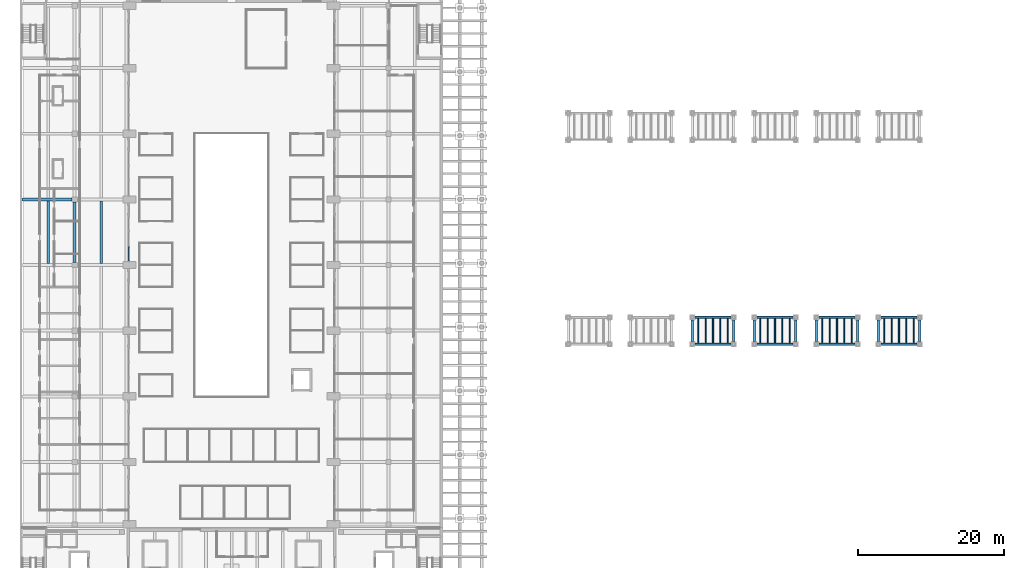
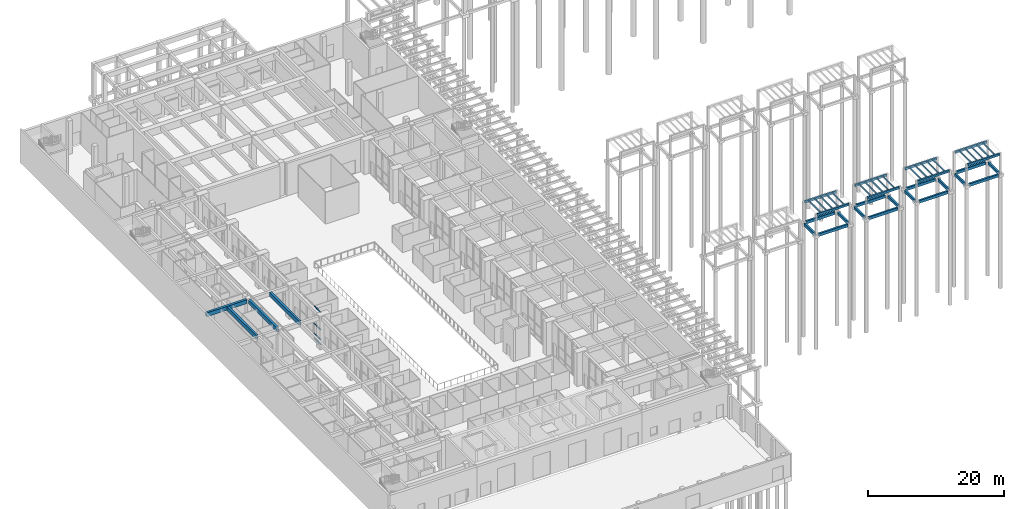
# One storey, part 16 of 51: 48 beams, 4 members, 1 element without a shape of its own.
"""IFC4 building model written with IfcOpenShell, lengths in metres."""

import ifcopenshell
import ifcopenshell.guid

model = None  # the IFC model being written
_history = None  # IfcOwnerHistory: only IFC2X3 demands one
_inside = {}  # id of a spatial element -> (the spatial element, [elements in it])
_under = {}  # id of a project, library or spatial element -> (it, [spatial elements below it])
_declared = {}  # id of a project -> (the project, [libraries it declares])
_typed = {}  # id of a type object -> (the type object, [elements of that type])
_made_of = {}  # id of a material, layer set ... -> (it, [elements and type objects made of it])


def new_model(schema):
    """Start an empty IFC model of exactly this schema.

    Asked for "IFC4X3", IfcOpenShell would pick the latest addendum, in which some entities
    have other attributes; the version numbers below select the first issue.
    IFC2X3 requires an IfcOwnerHistory on every rooted entity: one is made here for all.
    """
    global model, _history
    if schema == "IFC4X3":
        model = ifcopenshell.file(schema_version=(4, 3, 0, 0))
    else:
        model = ifcopenshell.file(schema=schema)
    _inside.clear()
    _under.clear()
    _declared.clear()
    _typed.clear()
    _made_of.clear()
    _history = None
    if model.schema == "IFC2X3":
        org = make("IfcOrganization", Name="unknown")
        user = make(
            "IfcPersonAndOrganization",
            ThePerson=make("IfcPerson", FamilyName="unknown"),
            TheOrganization=org,
        )
        app = make(
            "IfcApplication",
            ApplicationDeveloper=org,
            Version="unknown",
            ApplicationFullName="unknown",
            ApplicationIdentifier="unknown",
        )
        _history = make(
            "IfcOwnerHistory",
            OwningUser=user,
            OwningApplication=app,
            ChangeAction="ADDED",
            CreationDate=0,
        )
    return model


def make(cls, **values):
    """One entity of the class cls with the attributes given. An attribute that is None is left unset."""
    return model.create_entity(
        cls, **{name: value for name, value in values.items() if value is not None}
    )


def rooted(cls, **values):
    """An entity with a GlobalId (a new one), such as an element, a storey or a relation."""
    return make(cls, GlobalId=ifcopenshell.guid.new(), OwnerHistory=_history, **values)


def si_unit(unit_type, name, prefix=None):
    """IfcSIUnit, for example si_unit("LENGTHUNIT", "METRE", prefix="MILLI")."""
    return make("IfcSIUnit", UnitType=unit_type, Prefix=prefix, Name=name)


def assignment(units):
    """IfcUnitAssignment: the units of a project."""
    return None if units is None else make("IfcUnitAssignment", Units=units)


def point(xyz):
    """IfcCartesianPoint."""
    return None if xyz is None else make("IfcCartesianPoint", Coordinates=xyz)


def direction(xyz):
    """IfcDirection."""
    return None if xyz is None else make("IfcDirection", DirectionRatios=xyz)


def frame(location, z_axis=None, x_axis=None):
    """IfcAxis2Placement3D, a coordinate frame: its origin and axes. An axis left out is left unset."""
    return make(
        "IfcAxis2Placement3D",
        Location=point(location),
        Axis=direction(z_axis),
        RefDirection=direction(x_axis),
    )


def frame_2d(location, x_axis=None):
    """IfcAxis2Placement2D, a coordinate frame in the plane: its origin and x axis."""
    return make(
        "IfcAxis2Placement2D", Location=point(location), RefDirection=direction(x_axis)
    )


def origin():
    """The frame at (0, 0, 0) with its axes left unset."""
    return frame((0.0, 0.0, 0.0))


def origin_2d():
    """The frame at (0, 0) in the plane with its x axis left unset."""
    return frame_2d((0.0, 0.0))


def place(relative_to, where):
    """IfcLocalPlacement: puts the frame where relative to a parent placement (None: the world)."""
    return make(
        "IfcLocalPlacement", PlacementRelTo=relative_to, RelativePlacement=where
    )


def context(
    kind, dimensions, precision=None, world=None, true_north=None, identifier=None
):
    """IfcGeometricRepresentationContext, for example the 3D "Model" context."""
    return make(
        "IfcGeometricRepresentationContext",
        ContextIdentifier=identifier,
        ContextType=kind,
        CoordinateSpaceDimension=dimensions,
        Precision=precision,
        WorldCoordinateSystem=world,
        TrueNorth=true_north,
    )


def subcontext(parent, identifier, kind, view, scale=None):
    """IfcGeometricRepresentationSubContext, for example "Body" below "Model"."""
    return make(
        "IfcGeometricRepresentationSubContext",
        ContextIdentifier=identifier,
        ContextType=kind,
        ParentContext=parent,
        TargetScale=scale,
        TargetView=view,
    )


def project(units=None, contexts=None):
    """IfcProject with its units and contexts."""
    return rooted(
        "IfcProject",
        Name="project",
        RepresentationContexts=contexts,
        UnitsInContext=assignment(units),
    )


def spatial(cls, under=None, at=None, **own):
    """A site, building, storey or space (cls), placed at a placement, below another one or the project."""
    s = rooted(cls, ObjectPlacement=at, **own)
    if under is not None:
        _under.setdefault(under.id(), (under, []))[1].append(s)
    return s


def profile(cls, at=None, kind="AREA", **sizes):
    """A parametric profile (cls). Its sizes go by their IFC names, for example OverallWidth=200.0."""
    return make(cls, ProfileType=kind, Position=at, **sizes)


def rectangle(**sizes):
    """IfcRectangleProfileDef."""
    return profile("IfcRectangleProfileDef", **sizes)


def extrude(swept, where, along, depth):
    """IfcExtrudedAreaSolid: the profile swept, set in the frame where, extruded along a direction by depth."""
    return make(
        "IfcExtrudedAreaSolid",
        SweptArea=swept,
        Position=where,
        ExtrudedDirection=direction(along),
        Depth=depth,
    )


def shape(context_of_items, identifier, shape_type, items):
    """IfcShapeRepresentation: the items that make up one representation, for example the "Body"."""
    return make(
        "IfcShapeRepresentation",
        ContextOfItems=context_of_items,
        RepresentationIdentifier=identifier,
        RepresentationType=shape_type,
        Items=items,
    )


def material(Name=None, Category=None):
    """IfcMaterial."""
    return make("IfcMaterial", Name=Name, Category=Category)


def material_profile(
    of_material, cross_section, Name=None, Category=None, Priority=None
):
    """IfcMaterialProfile: a cross section and its material."""
    return make(
        "IfcMaterialProfile",
        Name=Name,
        Material=of_material,
        Profile=cross_section,
        Priority=Priority,
        Category=Category,
    )


def profile_set(profiles, Name=None, composite=None):
    """IfcMaterialProfileSet."""
    return make(
        "IfcMaterialProfileSet",
        Name=Name,
        MaterialProfiles=profiles,
        CompositeProfile=composite,
    )


def made_of(thing, what):
    """Note that an element or type object is made of a material, layer set ...; save() writes the relation."""
    if what is not None:
        _made_of.setdefault(what.id(), (what, []))[1].append(thing)
    return thing


def type_object(cls, material=None, **own):
    """A type object (cls), such as IfcWallType, which elements share."""
    return made_of(rooted(cls, **own), material)


def element(
    cls,
    number,
    at=None,
    inside=None,
    cuts=None,
    type_object=None,
    material=None,
    context=None,
    identifier="Body",
    shape_type=None,
    held_by="IfcProductDefinitionShape",
    body=None,
    shapes=None,
    **own,
):
    """One element of the class cls, such as IfcWall. Its Tag is "e" and its number.

    at: its placement. inside: the storey or other place that contains it. cuts: it is an
    opening in that element (IfcRelVoidsElement). A single representation is given by context,
    identifier, shape_type and body (its items); several are given by shapes. held_by: the class
    of the entity that holds the representations. save() writes the other relations.
    """
    e = rooted(cls, Tag="e%d" % number, ObjectPlacement=at, **own)
    if body is not None:
        shapes = [shape(context, identifier, shape_type, body)]
    if shapes is not None:
        e.Representation = make(held_by, Representations=shapes)
    if inside is not None:
        _inside.setdefault(inside.id(), (inside, []))[1].append(e)
    if cuts is not None:
        rooted(
            "IfcRelVoidsElement", RelatingBuildingElement=cuts, RelatedOpeningElement=e
        )
    if type_object is not None:
        _typed.setdefault(type_object.id(), (type_object, []))[1].append(e)
    return made_of(e, material)


def aggregate(whole, parts):
    """IfcRelAggregates: a whole, such as a stair, and the parts it consists of."""
    return rooted("IfcRelAggregates", RelatingObject=whole, RelatedObjects=parts)


def save(model, path):
    """Write the relations noted so far, then the file.

    IfcRelAggregates (storeys below a building ...), IfcRelContainedInSpatialStructure (elements
    in a storey), IfcRelDefinesByType, IfcRelAssociatesMaterial and IfcRelDeclares: one each for
    every whole, place, type object, material and project.
    """
    for whole, parts in _under.values():
        aggregate(whole, parts)
    for where, things in _inside.values():
        rooted(
            "IfcRelContainedInSpatialStructure",
            RelatedElements=things,
            RelatingStructure=where,
        )
    for kind, things in _typed.values():
        rooted("IfcRelDefinesByType", RelatedObjects=things, RelatingType=kind)
    for what, things in _made_of.values():
        rooted("IfcRelAssociatesMaterial", RelatedObjects=things, RelatingMaterial=what)
    for by, libraries in _declared.values():
        rooted("IfcRelDeclares", RelatingContext=by, RelatedDefinitions=libraries)
    model.write(path)


model = new_model("IFC4")

# Units and contexts
model_context = context("Model", 3, precision=1e-05, world=origin(), true_north=direction((0.0, 1.0)))
body_context = subcontext(model_context, "Body", "Model", "MODEL_VIEW")
ifc_project = project(units=[si_unit("LENGTHUNIT", "METRE"), si_unit("AREAUNIT", "SQUARE_METRE"), si_unit("VOLUMEUNIT", "CUBIC_METRE"), si_unit("PLANEANGLEUNIT", "RADIAN"), si_unit("MASSUNIT", "GRAM", prefix="KILO")], contexts=[model_context])

# Site, building, storey
site_placement = place(None, origin())
site = spatial("IfcSite", under=ifc_project, at=site_placement, CompositionType="ELEMENT")
building_placement = place(site_placement, origin())
building = spatial("IfcBuilding", under=site, at=building_placement, Name="Elmora Arch Market Hall", CompositionType="ELEMENT")
storey_placement = place(building_placement, origin())
storey = spatial("IfcBuildingStorey", under=building, at=storey_placement, Name="L00", CompositionType="ELEMENT", Elevation=0.0)

# Beams
ifc_material_1 = material(Name="Concrete C32/40", Category="concrete")
ifc_material_profile_1 = material_profile(ifc_material_1, rectangle(XDim=0.300048828125, YDim=0.5, at=origin_2d()), Name="Pad tie beam 300x500")
ifc_profile_set_1 = profile_set([ifc_material_profile_1], Name="Concrete C32/40")
beam_type_1 = type_object("IfcBeamType", Name="Pad tie beam 300x500", PredefinedType="BEAM", material=ifc_profile_set_1)
for number, where, z_axis, x_axis, name in (
    (1, (92.550048828125, 52.14990234375, -0.550048828125), (1.0, 0.0, 0.0), (0.0, 1.0, 0.0), "Pad tie beam 088"),
    (2, (92.550048828125, 55.85009765625, -0.550048828125), (1.0, 0.0, 0.0), (0.0, 1.0, 0.0), "Pad tie beam 089"),
):
    element("IfcBeam", number, at=place(storey_placement, frame(where, z_axis=z_axis, x_axis=x_axis)), inside=storey, type_object=beam_type_1, Name=name, PredefinedType="BEAM", context=body_context, shape_type="SweptSolid", body=[
        extrude(rectangle(XDim=0.300048828125, YDim=0.5, at=origin_2d()), origin(), (0.0, 0.0, 1.0), 4.89990234375),
    ])
for number, where, z_axis, x_axis, name in (
    (3, (92.14990234375, 52.550048828125, -0.550048828125), (0.0, 1.0, 0.0), (-1.0, 0.0, 0.0), "Pad tie beam 090"),
    (4, (97.85009765625, 52.550048828125, -0.550048828125), (0.0, 1.0, 0.0), (-1.0, 0.0, 0.0), "Pad tie beam 091"),
):
    element("IfcBeam", number, at=place(storey_placement, frame(where, z_axis=z_axis, x_axis=x_axis)), inside=storey, type_object=beam_type_1, Name=name, PredefinedType="BEAM", context=body_context, shape_type="SweptSolid", body=[
        extrude(rectangle(XDim=0.300048828125, YDim=0.5, at=origin_2d()), origin(), (0.0, 0.0, 1.0), 2.89990234375),
    ])
for number, where, z_axis, x_axis, name in (
    (5, (101.050048828125, 52.14990234375, -0.550048828125), (1.0, 0.0, 0.0), (0.0, 1.0, 0.0), "Pad tie beam 092"),
    (6, (101.050048828125, 55.85009765625, -0.550048828125), (1.0, 0.0, 0.0), (0.0, 1.0, 0.0), "Pad tie beam 093"),
):
    element("IfcBeam", number, at=place(storey_placement, frame(where, z_axis=z_axis, x_axis=x_axis)), inside=storey, type_object=beam_type_1, Name=name, PredefinedType="BEAM", context=body_context, shape_type="SweptSolid", body=[
        extrude(rectangle(XDim=0.300048828125, YDim=0.5, at=origin_2d()), origin(), (0.0, 0.0, 1.0), 4.89990234375),
    ])
for number, where, z_axis, x_axis, name in (
    (7, (100.64990234375, 52.550048828125, -0.550048828125), (0.0, 1.0, 0.0), (-1.0, 0.0, 0.0), "Pad tie beam 094"),
    (8, (106.35009765625, 52.550048828125, -0.550048828125), (0.0, 1.0, 0.0), (-1.0, 0.0, 0.0), "Pad tie beam 095"),
):
    element("IfcBeam", number, at=place(storey_placement, frame(where, z_axis=z_axis, x_axis=x_axis)), inside=storey, type_object=beam_type_1, Name=name, PredefinedType="BEAM", context=body_context, shape_type="SweptSolid", body=[
        extrude(rectangle(XDim=0.300048828125, YDim=0.5, at=origin_2d()), origin(), (0.0, 0.0, 1.0), 2.89990234375),
    ])
for number, where, z_axis, x_axis, name in (
    (9, (109.550048828125, 52.14990234375, -0.550048828125), (1.0, 0.0, 0.0), (0.0, 1.0, 0.0), "Pad tie beam 096"),
    (10, (109.550048828125, 55.85009765625, -0.550048828125), (1.0, 0.0, 0.0), (0.0, 1.0, 0.0), "Pad tie beam 097"),
):
    element("IfcBeam", number, at=place(storey_placement, frame(where, z_axis=z_axis, x_axis=x_axis)), inside=storey, type_object=beam_type_1, Name=name, PredefinedType="BEAM", context=body_context, shape_type="SweptSolid", body=[
        extrude(rectangle(XDim=0.300048828125, YDim=0.5, at=origin_2d()), origin(), (0.0, 0.0, 1.0), 4.89990234375),
    ])
for number, where, z_axis, x_axis, name in (
    (11, (109.14990234375, 52.550048828125, -0.550048828125), (0.0, 1.0, 0.0), (-1.0, 0.0, 0.0), "Pad tie beam 098"),
    (12, (114.85009765625, 52.550048828125, -0.550048828125), (0.0, 1.0, 0.0), (-1.0, 0.0, 0.0), "Pad tie beam 099"),
):
    element("IfcBeam", number, at=place(storey_placement, frame(where, z_axis=z_axis, x_axis=x_axis)), inside=storey, type_object=beam_type_1, Name=name, PredefinedType="BEAM", context=body_context, shape_type="SweptSolid", body=[
        extrude(rectangle(XDim=0.300048828125, YDim=0.5, at=origin_2d()), origin(), (0.0, 0.0, 1.0), 2.89990234375),
    ])
for number, where, z_axis, x_axis, name in (
    (13, (118.050048828125, 52.14990234375, -0.550048828125), (1.0, 0.0, 0.0), (0.0, 1.0, 0.0), "Pad tie beam 100"),
    (14, (118.050048828125, 55.85009765625, -0.550048828125), (1.0, 0.0, 0.0), (0.0, 1.0, 0.0), "Pad tie beam 101"),
):
    element("IfcBeam", number, at=place(storey_placement, frame(where, z_axis=z_axis, x_axis=x_axis)), inside=storey, type_object=beam_type_1, Name=name, PredefinedType="BEAM", context=body_context, shape_type="SweptSolid", body=[
        extrude(rectangle(XDim=0.300048828125, YDim=0.5, at=origin_2d()), origin(), (0.0, 0.0, 1.0), 4.89990234375),
    ])
for number, where, z_axis, x_axis, name in (
    (15, (117.64990234375, 52.550048828125, -0.550048828125), (0.0, 1.0, 0.0), (-1.0, 0.0, 0.0), "Pad tie beam 102"),
    (16, (123.35009765625, 52.550048828125, -0.550048828125), (0.0, 1.0, 0.0), (-1.0, 0.0, 0.0), "Pad tie beam 103"),
):
    element("IfcBeam", number, at=place(storey_placement, frame(where, z_axis=z_axis, x_axis=x_axis)), inside=storey, type_object=beam_type_1, Name=name, PredefinedType="BEAM", context=body_context, shape_type="SweptSolid", body=[
        extrude(rectangle(XDim=0.300048828125, YDim=0.5, at=origin_2d()), origin(), (0.0, 0.0, 1.0), 2.89990234375),
    ])
ifc_material_2 = material(Name="Concrete C32/40", Category="concrete")
ifc_material_profile_2 = material_profile(ifc_material_2, rectangle(XDim=0.25, YDim=0.39990234375, at=origin_2d()), Name="Stall beam 250x400")
ifc_profile_set_2 = profile_set([ifc_material_profile_2], Name="Concrete C32/40")
beam_type_2 = type_object("IfcBeamType", Name="Stall beam 250x400", PredefinedType="BEAM", material=ifc_profile_set_2)
for number, where, z_axis, x_axis, name in (
    (17, (92.300048828125, 52.14990234375, 3.14990234375), (1.0, 0.0, 0.0), (0.0, 1.0, 0.0), "Stall beam STALL-13-B1 L00.1"),
    (18, (92.300048828125, 55.85009765625, 3.14990234375), (1.0, 0.0, 0.0), (0.0, 1.0, 0.0), "Stall beam STALL-13-B2 L00.1"),
    (19, (100.800048828125, 52.14990234375, 3.14990234375), (1.0, 0.0, 0.0), (0.0, 1.0, 0.0), "Stall beam STALL-14-B1 L00.1"),
    (20, (100.800048828125, 55.85009765625, 3.14990234375), (1.0, 0.0, 0.0), (0.0, 1.0, 0.0), "Stall beam STALL-14-B2 L00.1"),
    (21, (109.300048828125, 52.14990234375, 3.14990234375), (1.0, 0.0, 0.0), (0.0, 1.0, 0.0), "Stall beam STALL-15-B1 L00.1"),
    (22, (109.300048828125, 55.85009765625, 3.14990234375), (1.0, 0.0, 0.0), (0.0, 1.0, 0.0), "Stall beam STALL-15-B2 L00.1"),
    (23, (117.800048828125, 52.14990234375, 3.14990234375), (1.0, 0.0, 0.0), (0.0, 1.0, 0.0), "Stall beam STALL-16-B1 L00.1"),
    (24, (117.800048828125, 55.85009765625, 3.14990234375), (1.0, 0.0, 0.0), (0.0, 1.0, 0.0), "Stall beam STALL-16-B2 L00.1"),
):
    element("IfcBeam", number, at=place(storey_placement, frame(where, z_axis=z_axis, x_axis=x_axis)), inside=storey, type_object=beam_type_2, Name=name, PredefinedType="BEAM", context=body_context, shape_type="SweptSolid", body=[
        extrude(rectangle(XDim=0.25, YDim=0.39990234375, at=origin_2d()), origin(), (0.0, 0.0, 1.0), 5.39990234375),
    ])
ifc_material_3 = material(Name="Concrete C32/40", Category="concrete")
ifc_material_profile_3 = material_profile(ifc_material_3, rectangle(XDim=0.14990234375, YDim=0.25, at=origin_2d()), Name="Stall joist 150x250")
ifc_profile_set_3 = profile_set([ifc_material_profile_3], Name="Concrete C32/40")
beam_type_3 = type_object("IfcBeamType", Name="Stall joist 150x250", PredefinedType="JOIST", material=ifc_profile_set_3)
for number, where, z_axis, x_axis, name in (
    (25, (93.0, 52.27490234375, 3.22509765625), (0.0, 1.0, 0.0), (-1.0, 0.0, 0.0), "Stall joist STALL-13-J1 L00.1"),
    (26, (94.0, 52.27490234375, 3.22509765625), (0.0, 1.0, 0.0), (-1.0, 0.0, 0.0), "Stall joist STALL-13-J2 L00.1"),
    (27, (95.0, 52.27490234375, 3.22509765625), (0.0, 1.0, 0.0), (-1.0, 0.0, 0.0), "Stall joist STALL-13-J3 L00.1"),
    (28, (96.0, 52.27490234375, 3.22509765625), (0.0, 1.0, 0.0), (-1.0, 0.0, 0.0), "Stall joist STALL-13-J4 L00.1"),
    (29, (97.0, 52.27490234375, 3.22509765625), (0.0, 1.0, 0.0), (-1.0, 0.0, 0.0), "Stall joist STALL-13-J5 L00.1"),
    (30, (101.5, 52.27490234375, 3.22509765625), (0.0, 1.0, 0.0), (-1.0, 0.0, 0.0), "Stall joist STALL-14-J1 L00.1"),
    (31, (102.5, 52.27490234375, 3.22509765625), (0.0, 1.0, 0.0), (-1.0, 0.0, 0.0), "Stall joist STALL-14-J2 L00.1"),
    (32, (103.5, 52.27490234375, 3.22509765625), (0.0, 1.0, 0.0), (-1.0, 0.0, 0.0), "Stall joist STALL-14-J3 L00.1"),
    (33, (104.5, 52.27490234375, 3.22509765625), (0.0, 1.0, 0.0), (-1.0, 0.0, 0.0), "Stall joist STALL-14-J4 L00.1"),
    (34, (105.5, 52.27490234375, 3.22509765625), (0.0, 1.0, 0.0), (-1.0, 0.0, 0.0), "Stall joist STALL-14-J5 L00.1"),
    (35, (110.0, 52.27490234375, 3.22509765625), (0.0, 1.0, 0.0), (-1.0, 0.0, 0.0), "Stall joist STALL-15-J1 L00.1"),
    (36, (111.0, 52.27490234375, 3.22509765625), (0.0, 1.0, 0.0), (-1.0, 0.0, 0.0), "Stall joist STALL-15-J2 L00.1"),
    (37, (112.0, 52.27490234375, 3.22509765625), (0.0, 1.0, 0.0), (-1.0, 0.0, 0.0), "Stall joist STALL-15-J3 L00.1"),
    (38, (113.0, 52.27490234375, 3.22509765625), (0.0, 1.0, 0.0), (-1.0, 0.0, 0.0), "Stall joist STALL-15-J4 L00.1"),
    (39, (114.0, 52.27490234375, 3.22509765625), (0.0, 1.0, 0.0), (-1.0, 0.0, 0.0), "Stall joist STALL-15-J5 L00.1"),
    (40, (118.5, 52.27490234375, 3.22509765625), (0.0, 1.0, 0.0), (-1.0, 0.0, 0.0), "Stall joist STALL-16-J1 L00.1"),
    (41, (119.5, 52.27490234375, 3.22509765625), (0.0, 1.0, 0.0), (-1.0, 0.0, 0.0), "Stall joist STALL-16-J2 L00.1"),
    (42, (120.5, 52.27490234375, 3.22509765625), (0.0, 1.0, 0.0), (-1.0, 0.0, 0.0), "Stall joist STALL-16-J3 L00.1"),
    (43, (121.5, 52.27490234375, 3.22509765625), (0.0, 1.0, 0.0), (-1.0, 0.0, 0.0), "Stall joist STALL-16-J4 L00.1"),
    (44, (122.5, 52.27490234375, 3.22509765625), (0.0, 1.0, 0.0), (-1.0, 0.0, 0.0), "Stall joist STALL-16-J5 L00.1"),
):
    element("IfcBeam", number, at=place(storey_placement, frame(where, z_axis=z_axis, x_axis=x_axis)), inside=storey, type_object=beam_type_3, Name=name, PredefinedType="JOIST", context=body_context, shape_type="SweptSolid", body=[
        extrude(rectangle(XDim=0.14990234375, YDim=0.25, at=origin_2d()), origin(), (0.0, 0.0, 1.0), 3.4501953125),
    ])

# Curtain wall, members
ifc_material_4 = material(Name="Aluminium", Category="aluminium")
curtain_wall_type = type_object("IfcCurtainWallType", Name="Shopfront curtain wall", PredefinedType="NOTDEFINED", material=ifc_material_4)
curtain_wall_placement = place(storey_placement, origin())
curtain_wall = element("IfcCurtainWall", 45, at=curtain_wall_placement, inside=storey, type_object=curtain_wall_type, Name="Shopfront W 5", PredefinedType="NOTDEFINED")
ifc_material_5 = material(Name="Aluminium", Category="aluminium")
ifc_material_profile_4 = material_profile(ifc_material_5, rectangle(XDim=0.179931640625, YDim=0.074951171875, at=origin_2d()), Name="AL 180x75")
ifc_profile_set_4 = profile_set([ifc_material_profile_4], Name="Aluminium")
member_type = type_object("IfcMemberType", Name="Transom 180x75", PredefinedType="USERDEFINED", material=ifc_profile_set_4)
member_1_placement = place(storey_placement, frame((14.89990234375, 63.60009765625, 0.03759765625), z_axis=(0.0, 1.0, 0.0), x_axis=(-1.0, 0.0, 0.0)))
member_1 = element("IfcMember", 46, at=member_1_placement, type_object=member_type, Name="CW3 transom 1.1", ObjectType="TRANSOM", PredefinedType="USERDEFINED", context=body_context, shape_type="SweptSolid", body=[
    extrude(rectangle(XDim=0.179931640625, YDim=0.074951171875, at=origin_2d()), origin(), (0.0, 0.0, 1.0), 1.91650390625),
])
member_2_placement = place(storey_placement, frame((14.89990234375, 63.60009765625, 0.89990234375), z_axis=(0.0, 1.0, 0.0), x_axis=(-1.0, 0.0, 0.0)))
member_2 = element("IfcMember", 47, at=member_2_placement, type_object=member_type, Name="CW3 transom 1.2", ObjectType="TRANSOM", PredefinedType="USERDEFINED", context=body_context, shape_type="SweptSolid", body=[
    extrude(rectangle(XDim=0.179931640625, YDim=0.074951171875, at=origin_2d()), origin(), (0.0, 0.0, 1.0), 1.91650390625),
])
member_3_placement = place(storey_placement, frame((14.89990234375, 63.60009765625, 2.699951171875), z_axis=(0.0, 1.0, 0.0), x_axis=(-1.0, 0.0, 0.0)))
member_3 = element("IfcMember", 48, at=member_3_placement, type_object=member_type, Name="CW3 transom 1.3", ObjectType="TRANSOM", PredefinedType="USERDEFINED", context=body_context, shape_type="SweptSolid", body=[
    extrude(rectangle(XDim=0.179931640625, YDim=0.074951171875, at=origin_2d()), origin(), (0.0, 0.0, 1.0), 1.91650390625),
])
member_4_placement = place(storey_placement, frame((14.89990234375, 63.60009765625, 5.762451171875), z_axis=(0.0, 1.0, 0.0), x_axis=(-1.0, 0.0, 0.0)))
member_4 = element("IfcMember", 49, at=member_4_placement, type_object=member_type, Name="CW3 transom 1.4", ObjectType="TRANSOM", PredefinedType="USERDEFINED", context=body_context, shape_type="SweptSolid", body=[
    extrude(rectangle(XDim=0.179931640625, YDim=0.074951171875, at=origin_2d()), origin(), (0.0, 0.0, 1.0), 1.91650390625),
])
aggregate(curtain_wall, [member_1, member_2, member_3, member_4])

# Beams
ifc_material_6 = material(Name="Concrete C32/40", Category="concrete")
ifc_material_profile_5 = material_profile(ifc_material_6, rectangle(XDim=0.39990234375, YDim=0.699951171875, at=origin_2d()), Name="Wing beam 400x700")
ifc_profile_set_5 = profile_set([ifc_material_profile_5], Name="Concrete C32/40")
beam_type_4 = type_object("IfcBeamType", Name="Wing beam 400x700", PredefinedType="BEAM", material=ifc_profile_set_5)
beam_1_placement = place(storey_placement, frame((0.300048828125, 72.0, 5.449951171875), z_axis=(1.0, 0.0, 0.0), x_axis=(0.0, 1.0, 0.0)))
element("IfcBeam", 50, at=beam_1_placement, inside=storey, type_object=beam_type_4, Name="Wing beam WR6 L00.1", PredefinedType="BEAM", context=body_context, shape_type="SweptSolid", body=[
    extrude(rectangle(XDim=0.39990234375, YDim=0.699951171875, at=origin_2d()), origin(), (0.0, 0.0, 1.0), 6.849853515625),
])
beam_2_placement = place(storey_placement, frame((7.5, 63.35009765625, 5.449951171875), z_axis=(0.0, 1.0, 0.0), x_axis=(-1.0, 0.0, 0.0)))
element("IfcBeam", 51, at=beam_2_placement, inside=storey, type_object=beam_type_4, Name="Wing beam WG L00.5", PredefinedType="BEAM", context=body_context, shape_type="SweptSolid", body=[
    extrude(rectangle(XDim=0.39990234375, YDim=0.699951171875, at=origin_2d()), origin(), (0.0, 0.0, 1.0), 8.2998046875),
])
ifc_material_7 = material(Name="Concrete C32/40", Category="concrete")
ifc_material_profile_6 = material_profile(ifc_material_7, rectangle(XDim=0.35009765625, YDim=0.75, at=origin_2d()), Name="Wing joist 350x750")
ifc_profile_set_6 = profile_set([ifc_material_profile_6], Name="Concrete C32/40")
beam_type_5 = type_object("IfcBeamType", Name="Wing joist 350x750", PredefinedType="JOIST", material=ifc_profile_set_6)
for number, where, z_axis, x_axis, name in (
    (52, (3.89990234375, 63.199951171875, 5.425048828125), (0.0, 1.0, 0.0), (-1.0, 0.0, 0.0), "Wing joist WJ1 L00.5"),
    (53, (11.14990234375, 63.199951171875, 5.425048828125), (0.0, 1.0, 0.0), (-1.0, 0.0, 0.0), "Wing joist WJ2 L00.5"),
):
    element("IfcBeam", number, at=place(storey_placement, frame(where, z_axis=z_axis, x_axis=x_axis)), inside=storey, type_object=beam_type_5, Name=name, PredefinedType="JOIST", context=body_context, shape_type="SweptSolid", body=[
        extrude(rectangle(XDim=0.35009765625, YDim=0.75, at=origin_2d()), origin(), (0.0, 0.0, 1.0), 8.60009765625),
    ])

save(model, "model.ifc")
